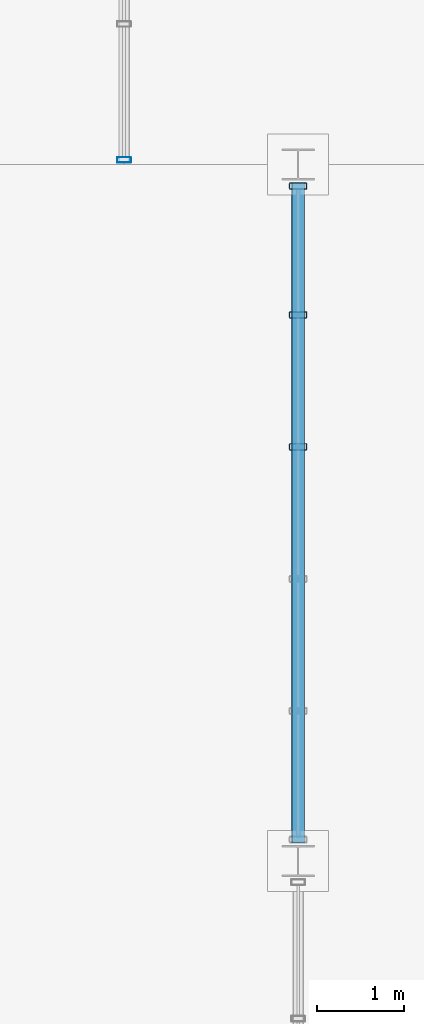
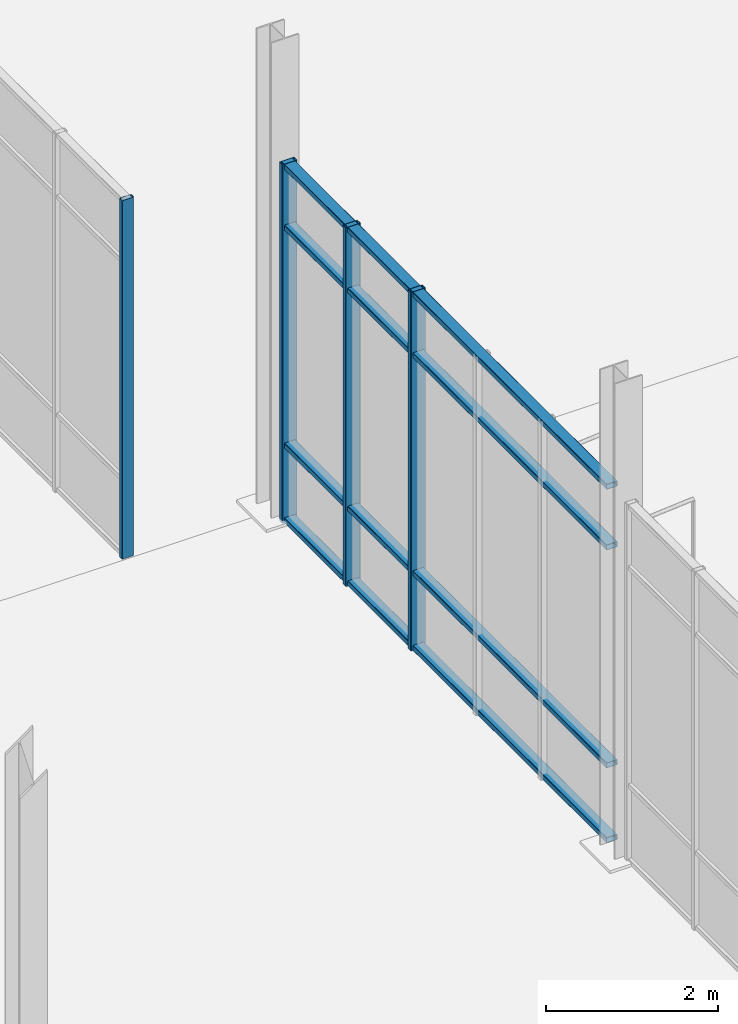
# One storey, part 60 of 140: 8 members, 2 elements without a shape of their own.
"""IFC4 building model written with IfcOpenShell, lengths in metres."""

import ifcopenshell
import ifcopenshell.guid

model = None  # the IFC model being written
_history = None  # IfcOwnerHistory: only IFC2X3 demands one
_inside = {}  # id of a spatial element -> (the spatial element, [elements in it])
_under = {}  # id of a project, library or spatial element -> (it, [spatial elements below it])
_declared = {}  # id of a project -> (the project, [libraries it declares])
_typed = {}  # id of a type object -> (the type object, [elements of that type])
_made_of = {}  # id of a material, layer set ... -> (it, [elements and type objects made of it])


def new_model(schema):
    """Start an empty IFC model of exactly this schema.

    Asked for "IFC4X3", IfcOpenShell would pick the latest addendum, in which some entities
    have other attributes; the version numbers below select the first issue.
    IFC2X3 requires an IfcOwnerHistory on every rooted entity: one is made here for all.
    """
    global model, _history
    if schema == "IFC4X3":
        model = ifcopenshell.file(schema_version=(4, 3, 0, 0))
    else:
        model = ifcopenshell.file(schema=schema)
    _inside.clear()
    _under.clear()
    _declared.clear()
    _typed.clear()
    _made_of.clear()
    _history = None
    if model.schema == "IFC2X3":
        org = make("IfcOrganization", Name="unknown")
        user = make(
            "IfcPersonAndOrganization",
            ThePerson=make("IfcPerson", FamilyName="unknown"),
            TheOrganization=org,
        )
        app = make(
            "IfcApplication",
            ApplicationDeveloper=org,
            Version="unknown",
            ApplicationFullName="unknown",
            ApplicationIdentifier="unknown",
        )
        _history = make(
            "IfcOwnerHistory",
            OwningUser=user,
            OwningApplication=app,
            ChangeAction="ADDED",
            CreationDate=0,
        )
    return model


def make(cls, **values):
    """One entity of the class cls with the attributes given. An attribute that is None is left unset."""
    return model.create_entity(
        cls, **{name: value for name, value in values.items() if value is not None}
    )


def rooted(cls, **values):
    """An entity with a GlobalId (a new one), such as an element, a storey or a relation."""
    return make(cls, GlobalId=ifcopenshell.guid.new(), OwnerHistory=_history, **values)


def si_unit(unit_type, name, prefix=None):
    """IfcSIUnit, for example si_unit("LENGTHUNIT", "METRE", prefix="MILLI")."""
    return make("IfcSIUnit", UnitType=unit_type, Prefix=prefix, Name=name)


def assignment(units):
    """IfcUnitAssignment: the units of a project."""
    return None if units is None else make("IfcUnitAssignment", Units=units)


def point(xyz):
    """IfcCartesianPoint."""
    return None if xyz is None else make("IfcCartesianPoint", Coordinates=xyz)


def direction(xyz):
    """IfcDirection."""
    return None if xyz is None else make("IfcDirection", DirectionRatios=xyz)


def frame(location, z_axis=None, x_axis=None):
    """IfcAxis2Placement3D, a coordinate frame: its origin and axes. An axis left out is left unset."""
    return make(
        "IfcAxis2Placement3D",
        Location=point(location),
        Axis=direction(z_axis),
        RefDirection=direction(x_axis),
    )


def frame_2d(location, x_axis=None):
    """IfcAxis2Placement2D, a coordinate frame in the plane: its origin and x axis."""
    return make(
        "IfcAxis2Placement2D", Location=point(location), RefDirection=direction(x_axis)
    )


def origin():
    """The frame at (0, 0, 0) with its axes left unset."""
    return frame((0.0, 0.0, 0.0))


def origin_2d():
    """The frame at (0, 0) in the plane with its x axis left unset."""
    return frame_2d((0.0, 0.0))


def place(relative_to, where):
    """IfcLocalPlacement: puts the frame where relative to a parent placement (None: the world)."""
    return make(
        "IfcLocalPlacement", PlacementRelTo=relative_to, RelativePlacement=where
    )


def context(
    kind, dimensions, precision=None, world=None, true_north=None, identifier=None
):
    """IfcGeometricRepresentationContext, for example the 3D "Model" context."""
    return make(
        "IfcGeometricRepresentationContext",
        ContextIdentifier=identifier,
        ContextType=kind,
        CoordinateSpaceDimension=dimensions,
        Precision=precision,
        WorldCoordinateSystem=world,
        TrueNorth=true_north,
    )


def subcontext(parent, identifier, kind, view, scale=None):
    """IfcGeometricRepresentationSubContext, for example "Body" below "Model"."""
    return make(
        "IfcGeometricRepresentationSubContext",
        ContextIdentifier=identifier,
        ContextType=kind,
        ParentContext=parent,
        TargetScale=scale,
        TargetView=view,
    )


def project(units=None, contexts=None):
    """IfcProject with its units and contexts."""
    return rooted(
        "IfcProject",
        Name="project",
        RepresentationContexts=contexts,
        UnitsInContext=assignment(units),
    )


def spatial(cls, under=None, at=None, **own):
    """A site, building, storey or space (cls), placed at a placement, below another one or the project."""
    s = rooted(cls, ObjectPlacement=at, **own)
    if under is not None:
        _under.setdefault(under.id(), (under, []))[1].append(s)
    return s


def profile(cls, at=None, kind="AREA", **sizes):
    """A parametric profile (cls). Its sizes go by their IFC names, for example OverallWidth=200.0."""
    return make(cls, ProfileType=kind, Position=at, **sizes)


def hollow_rectangle(**sizes):
    """IfcRectangleHollowProfileDef."""
    return profile("IfcRectangleHollowProfileDef", **sizes)


def extrude(swept, where, along, depth):
    """IfcExtrudedAreaSolid: the profile swept, set in the frame where, extruded along a direction by depth."""
    return make(
        "IfcExtrudedAreaSolid",
        SweptArea=swept,
        Position=where,
        ExtrudedDirection=direction(along),
        Depth=depth,
    )


def shape(context_of_items, identifier, shape_type, items):
    """IfcShapeRepresentation: the items that make up one representation, for example the "Body"."""
    return make(
        "IfcShapeRepresentation",
        ContextOfItems=context_of_items,
        RepresentationIdentifier=identifier,
        RepresentationType=shape_type,
        Items=items,
    )


def material(Name=None, Category=None):
    """IfcMaterial."""
    return make("IfcMaterial", Name=Name, Category=Category)


def material_profile(
    of_material, cross_section, Name=None, Category=None, Priority=None
):
    """IfcMaterialProfile: a cross section and its material."""
    return make(
        "IfcMaterialProfile",
        Name=Name,
        Material=of_material,
        Profile=cross_section,
        Priority=Priority,
        Category=Category,
    )


def profile_set(profiles, Name=None, composite=None):
    """IfcMaterialProfileSet."""
    return make(
        "IfcMaterialProfileSet",
        Name=Name,
        MaterialProfiles=profiles,
        CompositeProfile=composite,
    )


def made_of(thing, what):
    """Note that an element or type object is made of a material, layer set ...; save() writes the relation."""
    if what is not None:
        _made_of.setdefault(what.id(), (what, []))[1].append(thing)
    return thing


def type_object(cls, material=None, **own):
    """A type object (cls), such as IfcWallType, which elements share."""
    return made_of(rooted(cls, **own), material)


def element(
    cls,
    number,
    at=None,
    inside=None,
    cuts=None,
    type_object=None,
    material=None,
    context=None,
    identifier="Body",
    shape_type=None,
    held_by="IfcProductDefinitionShape",
    body=None,
    shapes=None,
    **own,
):
    """One element of the class cls, such as IfcWall. Its Tag is "e" and its number.

    at: its placement. inside: the storey or other place that contains it. cuts: it is an
    opening in that element (IfcRelVoidsElement). A single representation is given by context,
    identifier, shape_type and body (its items); several are given by shapes. held_by: the class
    of the entity that holds the representations. save() writes the other relations.
    """
    e = rooted(cls, Tag="e%d" % number, ObjectPlacement=at, **own)
    if body is not None:
        shapes = [shape(context, identifier, shape_type, body)]
    if shapes is not None:
        e.Representation = make(held_by, Representations=shapes)
    if inside is not None:
        _inside.setdefault(inside.id(), (inside, []))[1].append(e)
    if cuts is not None:
        rooted(
            "IfcRelVoidsElement", RelatingBuildingElement=cuts, RelatedOpeningElement=e
        )
    if type_object is not None:
        _typed.setdefault(type_object.id(), (type_object, []))[1].append(e)
    return made_of(e, material)


def aggregate(whole, parts):
    """IfcRelAggregates: a whole, such as a stair, and the parts it consists of."""
    return rooted("IfcRelAggregates", RelatingObject=whole, RelatedObjects=parts)


def save(model, path):
    """Write the relations noted so far, then the file.

    IfcRelAggregates (storeys below a building ...), IfcRelContainedInSpatialStructure (elements
    in a storey), IfcRelDefinesByType, IfcRelAssociatesMaterial and IfcRelDeclares: one each for
    every whole, place, type object, material and project.
    """
    for whole, parts in _under.values():
        aggregate(whole, parts)
    for where, things in _inside.values():
        rooted(
            "IfcRelContainedInSpatialStructure",
            RelatedElements=things,
            RelatingStructure=where,
        )
    for kind, things in _typed.values():
        rooted("IfcRelDefinesByType", RelatedObjects=things, RelatingType=kind)
    for what, things in _made_of.values():
        rooted("IfcRelAssociatesMaterial", RelatedObjects=things, RelatingMaterial=what)
    for by, libraries in _declared.values():
        rooted("IfcRelDeclares", RelatingContext=by, RelatedDefinitions=libraries)
    model.write(path)


model = new_model("IFC4")

# Units and contexts
model_context = context("Model", 3, precision=1e-05, world=origin(), true_north=direction((0.0, 1.0)))
body_context = subcontext(model_context, "Body", "Model", "MODEL_VIEW")
ifc_project = project(units=[si_unit("LENGTHUNIT", "METRE"), si_unit("AREAUNIT", "SQUARE_METRE"), si_unit("VOLUMEUNIT", "CUBIC_METRE"), si_unit("PLANEANGLEUNIT", "RADIAN"), si_unit("MASSUNIT", "GRAM", prefix="KILO")], contexts=[model_context])

# Site, building, storey
site_placement = place(None, origin())
site = spatial("IfcSite", under=ifc_project, at=site_placement, CompositionType="ELEMENT")
building_placement = place(site_placement, origin())
building = spatial("IfcBuilding", under=site, at=building_placement, Name="Verrall Gate Interchange", CompositionType="ELEMENT")
storey_placement = place(building_placement, origin())
storey = spatial("IfcBuildingStorey", under=building, at=storey_placement, Name="L01", CompositionType="ELEMENT", Elevation=0.0)

# Curtain wall, member
ifc_material_1 = material(Name="Thermally Broken Anodized Aluminium Curtain Wall Framing", Category="aluminium")
curtain_wall_type_1 = type_object("IfcCurtainWallType", Name="CW-09 Unitized Curtain Wall 7960x5100", PredefinedType="NOTDEFINED", material=ifc_material_1)
curtain_wall_1_placement = place(storey_placement, origin())
curtain_wall_1 = element("IfcCurtainWall", 1, at=curtain_wall_1_placement, inside=storey, type_object=curtain_wall_type_1, Name="L01 Unitized Curtain Wall CW-L01-036", PredefinedType="NOTDEFINED")
ifc_material_2 = material(Name="Thermally Broken Anodized Aluminium Curtain Wall Framing", Category="aluminium")
ifc_material_profile_1 = material_profile(ifc_material_2, hollow_rectangle(XDim=0.06494140625, YDim=0.159912109375, WallThickness=0.00390625, InnerFilletRadius=0.00390625, OuterFilletRadius=0.008056640625, at=origin_2d()), Name="CWM160x65x4")
ifc_profile_set_1 = profile_set([ifc_material_profile_1], Name="Thermally Broken Anodized Aluminium Curtain Wall Framing")
member_type_1 = type_object("IfcMemberType", Name="CM-01 Curtain Mullion CWM160x65x4", PredefinedType="MULLION", material=ifc_profile_set_1)
member_1_placement = place(storey_placement, frame((58.0, 74.052490234375, 0.0), z_axis=(0.0, 0.0, 1.0), x_axis=(0.0, -1.0, 0.0)))
member_1 = element("IfcMember", 2, at=member_1_placement, type_object=member_type_1, Name="CW-L01-036 Mullion 6", PredefinedType="MULLION", context=body_context, shape_type="SweptSolid", body=[
    extrude(hollow_rectangle(XDim=0.06494140625, YDim=0.159912109375, WallThickness=0.00390625, InnerFilletRadius=0.00390625, OuterFilletRadius=0.008056640625, at=origin_2d()), origin(), (0.0, 0.0, 1.0), 5.10009765625),
])
aggregate(curtain_wall_1, [member_1])

# Curtain wall, members
ifc_material_3 = material(Name="Thermally Broken Anodized Aluminium Curtain Wall Framing", Category="aluminium")
curtain_wall_type_2 = type_object("IfcCurtainWallType", Name="CW-06 Unitized Curtain Wall 7631x5100", PredefinedType="NOTDEFINED", material=ifc_material_3)
curtain_wall_2_placement = place(storey_placement, origin())
curtain_wall_2 = element("IfcCurtainWall", 3, at=curtain_wall_2_placement, inside=storey, type_object=curtain_wall_type_2, Name="L01 Unitized Curtain Wall CW-L01-023", PredefinedType="NOTDEFINED")
ifc_material_4 = material(Name="Thermally Broken Anodized Aluminium Curtain Wall Framing", Category="aluminium")
ifc_material_profile_2 = material_profile(ifc_material_4, hollow_rectangle(XDim=0.074951171875, YDim=0.199951171875, WallThickness=0.0048828125, InnerFilletRadius=0.0048828125, OuterFilletRadius=0.010009765625, at=origin_2d()), Name="CWM200x75x5")
ifc_profile_set_2 = profile_set([ifc_material_profile_2], Name="Thermally Broken Anodized Aluminium Curtain Wall Framing")
member_type_2 = type_object("IfcMemberType", Name="CM-02 Curtain Mullion CWM200x75x5", PredefinedType="MULLION", material=ifc_profile_set_2)
member_2_placement = place(storey_placement, frame((60.0, 73.75244140625, 0.0), z_axis=(0.0, 0.0, 1.0), x_axis=(0.0, -1.0, 0.0)))
member_2 = element("IfcMember", 4, at=member_2_placement, type_object=member_type_2, Name="CW-L01-023 Mullion 1", PredefinedType="MULLION", context=body_context, shape_type="SweptSolid", body=[
    extrude(hollow_rectangle(XDim=0.074951171875, YDim=0.199951171875, WallThickness=0.0048828125, InnerFilletRadius=0.0048828125, OuterFilletRadius=0.010009765625, at=origin_2d()), origin(), (0.0, 0.0, 1.0), 5.10009765625),
])
member_3_placement = place(storey_placement, frame((60.0, 72.27392578125, 0.0), z_axis=(0.0, 0.0, 1.0), x_axis=(0.0, -1.0, 0.0)))
member_3 = element("IfcMember", 5, at=member_3_placement, type_object=member_type_2, Name="CW-L01-023 Mullion 2", PredefinedType="MULLION", context=body_context, shape_type="SweptSolid", body=[
    extrude(hollow_rectangle(XDim=0.074951171875, YDim=0.199951171875, WallThickness=0.0048828125, InnerFilletRadius=0.0048828125, OuterFilletRadius=0.010009765625, at=origin_2d()), origin(), (0.0, 0.0, 1.0), 5.10009765625),
])
member_4_placement = place(storey_placement, frame((60.0, 70.758056640625, 0.0), z_axis=(0.0, 0.0, 1.0), x_axis=(0.0, -1.0, 0.0)))
member_4 = element("IfcMember", 6, at=member_4_placement, type_object=member_type_2, Name="CW-L01-023 Mullion 3", PredefinedType="MULLION", context=body_context, shape_type="SweptSolid", body=[
    extrude(hollow_rectangle(XDim=0.074951171875, YDim=0.199951171875, WallThickness=0.0048828125, InnerFilletRadius=0.0048828125, OuterFilletRadius=0.010009765625, at=origin_2d()), origin(), (0.0, 0.0, 1.0), 5.10009765625),
])
ifc_material_5 = material(Name="Thermally Broken Anodized Aluminium Curtain Wall Framing", Category="aluminium")
ifc_material_profile_3 = material_profile(ifc_material_5, hollow_rectangle(XDim=0.14990234375, YDim=0.074951171875, WallThickness=0.00439453125, InnerFilletRadius=0.00439453125, OuterFilletRadius=0.009033203125, at=origin_2d()), Name="CWT150x75x4.5")
ifc_profile_set_3 = profile_set([ifc_material_profile_3], Name="Thermally Broken Anodized Aluminium Curtain Wall Framing")
member_type_3 = type_object("IfcMemberType", Name="CT-02 Curtain Transom CWT150x75x4.5", PredefinedType="USERDEFINED", material=ifc_profile_set_3)
member_5_placement = place(storey_placement, frame((60.0, 73.7900390625, 0.03759765625), z_axis=(0.0, -1.0, 0.0), x_axis=(1.0, 0.0, 0.0)))
member_5 = element("IfcMember", 7, at=member_5_placement, type_object=member_type_3, Name="CW-L01-023 Transom 1", ObjectType="TRANSOM", PredefinedType="USERDEFINED", context=body_context, shape_type="SweptSolid", body=[
    extrude(hollow_rectangle(XDim=0.14990234375, YDim=0.074951171875, WallThickness=0.00439453125, InnerFilletRadius=0.00439453125, OuterFilletRadius=0.009033203125, at=origin_2d()), origin(), (0.0, 0.0, 1.0), 7.580078125),
])
member_6_placement = place(storey_placement, frame((60.0, 73.7900390625, 1.10009765625), z_axis=(0.0, -1.0, 0.0), x_axis=(1.0, 0.0, 0.0)))
member_6 = element("IfcMember", 8, at=member_6_placement, type_object=member_type_3, Name="CW-L01-023 Transom 2", ObjectType="TRANSOM", PredefinedType="USERDEFINED", context=body_context, shape_type="SweptSolid", body=[
    extrude(hollow_rectangle(XDim=0.14990234375, YDim=0.074951171875, WallThickness=0.00439453125, InnerFilletRadius=0.00439453125, OuterFilletRadius=0.009033203125, at=origin_2d()), origin(), (0.0, 0.0, 1.0), 7.580078125),
])
member_7_placement = place(storey_placement, frame((60.0, 73.7900390625, 4.199951171875), z_axis=(0.0, -1.0, 0.0), x_axis=(1.0, 0.0, 0.0)))
member_7 = element("IfcMember", 9, at=member_7_placement, type_object=member_type_3, Name="CW-L01-023 Transom 3", ObjectType="TRANSOM", PredefinedType="USERDEFINED", context=body_context, shape_type="SweptSolid", body=[
    extrude(hollow_rectangle(XDim=0.14990234375, YDim=0.074951171875, WallThickness=0.00439453125, InnerFilletRadius=0.00439453125, OuterFilletRadius=0.009033203125, at=origin_2d()), origin(), (0.0, 0.0, 1.0), 7.580078125),
])
member_8_placement = place(storey_placement, frame((60.0, 73.7900390625, 5.0625), z_axis=(0.0, -1.0, 0.0), x_axis=(1.0, 0.0, 0.0)))
member_8 = element("IfcMember", 10, at=member_8_placement, type_object=member_type_3, Name="CW-L01-023 Transom 4", ObjectType="TRANSOM", PredefinedType="USERDEFINED", context=body_context, shape_type="SweptSolid", body=[
    extrude(hollow_rectangle(XDim=0.14990234375, YDim=0.074951171875, WallThickness=0.00439453125, InnerFilletRadius=0.00439453125, OuterFilletRadius=0.009033203125, at=origin_2d()), origin(), (0.0, 0.0, 1.0), 7.580078125),
])
aggregate(curtain_wall_2, [member_2, member_3, member_4, member_5, member_6, member_7, member_8])

save(model, "model.ifc")
